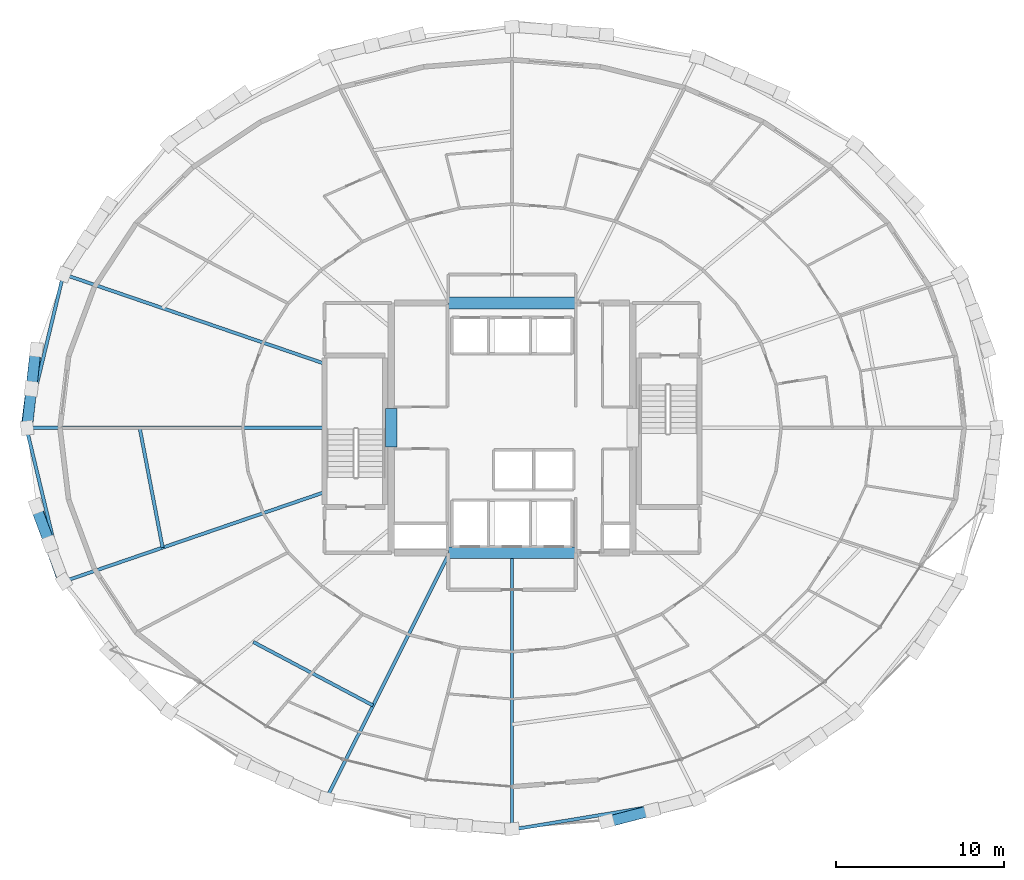
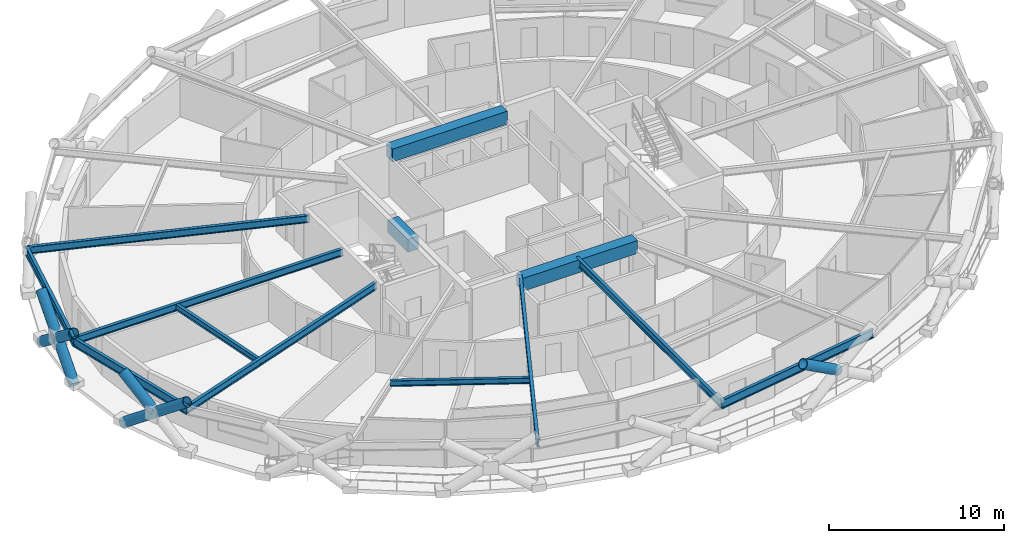
# One storey, part 5 of 19: 13 beams, 6 members.
"""IFC4 building model written with IfcOpenShell, lengths in metres."""

from ifc_helpers import new_model, si_unit, direction, frame, origin, origin_2d, place, context, subcontext, project, spatial, rectangle, hollow_circle, i_section, extrude, material, material_profile, profile_set, type_object, element, save


model = new_model("IFC4")

# Units and contexts
model_context = context("Model", 3, precision=1e-05, world=origin(), true_north=direction((0.0, 1.0)))
body_context = subcontext(model_context, "Body", "Model", "MODEL_VIEW")
ifc_project = project(units=[si_unit("LENGTHUNIT", "METRE"), si_unit("AREAUNIT", "SQUARE_METRE"), si_unit("VOLUMEUNIT", "CUBIC_METRE"), si_unit("PLANEANGLEUNIT", "RADIAN"), si_unit("MASSUNIT", "GRAM", prefix="KILO")], contexts=[model_context])

# Site, building, storey
site_placement = place(None, origin())
site = spatial("IfcSite", under=ifc_project, at=site_placement, CompositionType="ELEMENT")
building_placement = place(site_placement, origin())
building = spatial("IfcBuilding", under=site, at=building_placement, Name="Veldorina Hangang Commons", CompositionType="ELEMENT")
storey_placement = place(building_placement, frame((0.0, 0.0, 70.0)))
storey = spatial("IfcBuildingStorey", under=building, at=storey_placement, Name="L17", CompositionType="ELEMENT", Elevation=70.0)

# Beams
ifc_material_1 = material(Name="Concrete C70/85", Category="concrete")
ifc_material_profile_1 = material_profile(ifc_material_1, rectangle(XDim=0.699951171875, YDim=0.89990234375, at=origin_2d()), Name="RC-CB-700x900")
ifc_profile_set_1 = profile_set([ifc_material_profile_1], Name="Concrete C70/85")
beam_type_1 = type_object("IfcBeamType", Name="BM-CB900", PredefinedType="LINTEL", material=ifc_profile_set_1)
beam_1_placement = place(storey_placement, frame((24.800048828125, 22.85009765625, 2.889892578125), z_axis=(0.0, 1.0, 0.0), x_axis=(-1.0, 0.0, 0.0)))
element("IfcBeam", 1, at=beam_1_placement, inside=storey, type_object=beam_type_1, Name="L17 W core coupling lintel beam", PredefinedType="LINTEL", context=body_context, shape_type="SweptSolid", body=[
    extrude(rectangle(XDim=0.699951171875, YDim=0.89990234375, at=origin_2d()), origin(), (0.0, 0.0, 1.0), 2.2998046875),
])
for number, where, z_axis, x_axis, name in (
    (2, (28.199951171875, 16.550048828125, 2.889892578125), (1.0, 0.0, 0.0), (0.0, 1.0, 0.0), "L17 south core coupling beam"),
    (3, (28.199951171875, 31.449951171875, 2.889892578125), (1.0, 0.0, 0.0), (0.0, 1.0, 0.0), "L17 north core coupling beam"),
):
    element("IfcBeam", number, at=place(storey_placement, frame(where, z_axis=z_axis, x_axis=x_axis)), inside=storey, type_object=beam_type_1, Name=name, PredefinedType="LINTEL", context=body_context, shape_type="SweptSolid", body=[
        extrude(rectangle(XDim=0.699951171875, YDim=0.89990234375, at=origin_2d()), origin(), (0.0, 0.0, 1.0), 7.60009765625),
    ])
ifc_material_2 = material(Name="Steel SM420-TMC", Category="steel")
ifc_material_profile_2 = material_profile(ifc_material_2, i_section(OverallWidth=0.199951171875, OverallDepth=0.5, WebThickness=0.010009765625, FlangeThickness=0.01611328125, FilletRadius=0.01611328125, at=origin_2d()), Name="H-500x200x10x16")
ifc_profile_set_2 = profile_set([ifc_material_profile_2], Name="Steel SM420-TMC")
beam_type_2 = type_object("IfcBeamType", Name="BM-FG500", PredefinedType="BEAM", material=ifc_profile_set_2)
beam_2_placement = place(storey_placement, frame((20.820068359375, 27.831298828125, 3.090087890625), z_axis=(-0.945997938589, 0.324172639476, 0.0), x_axis=(-0.324172639476, -0.945997938589, 0.0)))
element("IfcBeam", 4, at=beam_2_placement, inside=storey, type_object=beam_type_2, Name="L17 radial floor girder 08", PredefinedType="BEAM", context=body_context, shape_type="SweptSolid", body=[
    extrude(i_section(OverallWidth=0.199951171875, OverallDepth=0.5, WebThickness=0.010009765625, FlangeThickness=0.01611328125, FilletRadius=0.01611328125, at=origin_2d()), origin(), (0.0, 0.0, 1.0), 16.460205078125),
])
beam_3_placement = place(storey_placement, frame((20.820068359375, 24.0, 3.090087890625), z_axis=(-1.0, 0.0, 0.0), x_axis=(0.0, -1.0, 0.0)))
element("IfcBeam", 5, at=beam_3_placement, inside=storey, type_object=beam_type_2, Name="L17 radial floor girder 09", PredefinedType="BEAM", context=body_context, shape_type="SweptSolid", body=[
    extrude(i_section(OverallWidth=0.199951171875, OverallDepth=0.5, WebThickness=0.010009765625, FlangeThickness=0.01611328125, FilletRadius=0.01611328125, at=origin_2d()), origin(), (0.0, 0.0, 1.0), 17.775146484375),
])
beam_4_placement = place(storey_placement, frame((20.820068359375, 20.168701171875, 3.090087890625), z_axis=(-0.945997938589, -0.324172639476, 0.0), x_axis=(0.324172639476, -0.945997938589, 0.0)))
element("IfcBeam", 6, at=beam_4_placement, inside=storey, type_object=beam_type_2, Name="L17 radial floor girder 10", PredefinedType="BEAM", context=body_context, shape_type="SweptSolid", body=[
    extrude(i_section(OverallWidth=0.199951171875, OverallDepth=0.5, WebThickness=0.010009765625, FlangeThickness=0.01611328125, FilletRadius=0.01611328125, at=origin_2d()), origin(), (0.0, 0.0, 1.0), 16.460205078125),
])
beam_5_placement = place(storey_placement, frame((28.27001953125, 16.550048828125, 3.090087890625), z_axis=(-0.447689354568, -0.894189153259, 0.0), x_axis=(0.894189153259, -0.447689354568, 0.0)))
element("IfcBeam", 7, at=beam_5_placement, inside=storey, type_object=beam_type_2, Name="L17 radial floor girder 12", PredefinedType="BEAM", context=body_context, shape_type="SweptSolid", body=[
    extrude(i_section(OverallWidth=0.199951171875, OverallDepth=0.5, WebThickness=0.010009765625, FlangeThickness=0.01611328125, FilletRadius=0.01611328125, at=origin_2d()), origin(), (0.0, 0.0, 1.0), 16.4189453125),
])
beam_6_placement = place(storey_placement, frame((32.0, 16.550048828125, 3.090087890625), z_axis=(0.0, -1.0, 0.0), x_axis=(1.0, 0.0, 0.0)))
element("IfcBeam", 8, at=beam_6_placement, inside=storey, type_object=beam_type_2, Name="L17 radial floor girder 13", PredefinedType="BEAM", context=body_context, shape_type="SweptSolid", body=[
    extrude(i_section(OverallWidth=0.199951171875, OverallDepth=0.5, WebThickness=0.010009765625, FlangeThickness=0.01611328125, FilletRadius=0.01611328125, at=origin_2d()), origin(), (0.0, 0.0, 1.0), 16.505126953125),
])
ifc_material_3 = material(Name="Steel SM355-TMC", Category="steel")
ifc_material_profile_3 = material_profile(ifc_material_3, i_section(OverallWidth=0.199951171875, OverallDepth=0.39990234375, WebThickness=0.008056640625, FlangeThickness=0.012939453125, FilletRadius=0.012939453125, at=origin_2d()), Name="H-400x200x8x13")
ifc_profile_set_3 = profile_set([ifc_material_profile_3], Name="Steel SM355-TMC")
beam_type_3 = type_object("IfcBeamType", Name="BM-JST400", PredefinedType="JOIST", material=ifc_profile_set_3)
beam_7_placement = place(storey_placement, frame((9.79931640625, 24.0, 3.139892578125), z_axis=(0.188016434996, -0.982165882207, 0.0), x_axis=(0.982165882207, 0.188016434996, 0.0)))
element("IfcBeam", 9, at=beam_7_placement, inside=storey, type_object=beam_type_3, Name="L17 secondary floor joist 09", PredefinedType="JOIST", context=body_context, shape_type="SweptSolid", body=[
    extrude(i_section(OverallWidth=0.199951171875, OverallDepth=0.39990234375, WebThickness=0.008056640625, FlangeThickness=0.012939453125, FilletRadius=0.012939453125, at=origin_2d()), origin(), (0.0, 0.0, 1.0), 7.26904296875),
])
beam_8_placement = place(storey_placement, frame((16.56982421875, 11.234375, 3.139892578125), z_axis=(0.88350054314, -0.468430133821, 0.0), x_axis=(0.468430133821, 0.88350054314, 0.0)))
element("IfcBeam", 10, at=beam_8_placement, inside=storey, type_object=beam_type_3, Name="L17 secondary floor joist 11", PredefinedType="JOIST", context=body_context, shape_type="SweptSolid", body=[
    extrude(i_section(OverallWidth=0.199951171875, OverallDepth=0.39990234375, WebThickness=0.008056640625, FlangeThickness=0.012939453125, FilletRadius=0.012939453125, at=origin_2d()), origin(), (0.0, 0.0, 1.0), 8.084716796875),
])
ifc_material_profile_4 = material_profile(ifc_material_2, i_section(OverallWidth=0.199951171875, OverallDepth=0.60009765625, WebThickness=0.010986328125, FlangeThickness=0.01708984375, FilletRadius=0.01806640625, at=origin_2d()), Name="H-600x200x11x17")
ifc_profile_set_4 = profile_set([ifc_material_profile_4], Name="Steel SM420-TMC")
beam_type_4 = type_object("IfcBeamType", Name="BM-RB600", PredefinedType="BEAM", material=ifc_profile_set_4)
for number, where, z_axis, x_axis, name in (
    (11, (5.248779296875, 33.167236328125, 3.0400390625), (-0.233746068928, -0.972297678317, 0.0), (0.972297678317, -0.233746068928, 0.0), "L17 perimeter hoop ring beam 14"),
    (12, (3.044921875, 24.0, 3.0400390625), (0.233746068928, -0.972297678317, 0.0), (0.972297678317, 0.233746068928, 0.0), "L17 perimeter hoop ring beam 16"),
):
    element("IfcBeam", number, at=place(storey_placement, frame(where, z_axis=z_axis, x_axis=x_axis)), inside=storey, type_object=beam_type_4, Name=name, PredefinedType="BEAM", context=body_context, shape_type="SweptSolid", body=[
        extrude(i_section(OverallWidth=0.199951171875, OverallDepth=0.60009765625, WebThickness=0.010986328125, FlangeThickness=0.01708984375, FilletRadius=0.01806640625, at=origin_2d()), origin(), (0.0, 0.0, 1.0), 9.428466796875),
    ])
beam_9_placement = place(storey_placement, frame((32.0, 0.044921875, 3.0400390625), z_axis=(0.986727963454, 0.162382037611, 0.0), x_axis=(-0.162382037611, 0.986727963454, 0.0)))
element("IfcBeam", 13, at=beam_9_placement, inside=storey, type_object=beam_type_4, Name="L17 perimeter hoop ring beam 24", PredefinedType="BEAM", context=body_context, shape_type="SweptSolid", body=[
    extrude(i_section(OverallWidth=0.199951171875, OverallDepth=0.60009765625, WebThickness=0.010986328125, FlangeThickness=0.01708984375, FilletRadius=0.01806640625, at=origin_2d()), origin(), (0.0, 0.0, 1.0), 11.2294921875),
])

# Members
ifc_material_4 = material(Name="Steel SM460-TMC", Category="steel")
ifc_material_profile_5 = material_profile(ifc_material_4, hollow_circle(Radius=0.324951171875, WallThickness=0.031982421875, at=origin_2d()), Name="CHS-650x32")
ifc_profile_set_5 = profile_set([ifc_material_profile_5], Name="Steel SM460-TMC")
member_type = type_object("IfcMemberType", Name="DG-CHS650", PredefinedType="BRACE", material=ifc_profile_set_5)
member_1_placement = place(storey_placement, frame((3.639892578125, 28.665771484375, 0.0), z_axis=(-0.101671600368, -0.787614898512, 0.60772169397), x_axis=(0.991770853704, -0.128025676107, 0.0)))
element("IfcMember", 14, at=member_1_placement, inside=storey, type_object=member_type, Name="L17 continuous perimeter diagrid brace 15", PredefinedType="BRACE", context=body_context, shape_type="SweptSolid", body=[
    extrude(hollow_circle(Radius=0.324951171875, WallThickness=0.031982421875, at=origin_2d()), origin(), (0.0, 0.0, 1.0), 5.923828125),
])
member_2_placement = place(storey_placement, frame((3.084228515625, 24.0, 0.0), z_axis=(0.0861554141, 0.789345340864, 0.607874310591), x_axis=(-0.994096063463, 0.108503532698, 0.0)))
element("IfcMember", 15, at=member_2_placement, inside=storey, type_object=member_type, Name="L17 split perimeter diagrid lower brace 16", PredefinedType="BRACE", context=body_context, shape_type="SweptSolid", body=[
    extrude(hollow_circle(Radius=0.324951171875, WallThickness=0.031982421875, at=origin_2d()), origin(), (0.0, 0.0, 1.0), 2.95849609375),
])
member_3_placement = place(storey_placement, frame((3.339111328125, 26.335205078125, 1.79833984375), z_axis=(0.085994188853, 0.789350873351, 0.607889955685), x_axis=(-0.994118026553, 0.108302120393, 0.0)))
element("IfcMember", 16, at=member_3_placement, inside=storey, type_object=member_type, Name="L17 split perimeter diagrid upper brace 16", PredefinedType="BRACE", context=body_context, shape_type="SweptSolid", body=[
    extrude(hollow_circle(Radius=0.324951171875, WallThickness=0.031982421875, at=origin_2d()), origin(), (0.0, 0.0, 1.0), 2.9638671875),
])
member_4_placement = place(storey_placement, frame((3.639892578125, 19.334228515625, 0.0), z_axis=(0.267736396922, -0.752623615239, 0.601560400581), x_axis=(0.942160587155, 0.335161793783, 0.0)))
element("IfcMember", 17, at=member_4_placement, inside=storey, type_object=member_type, Name="L17 continuous perimeter diagrid brace 17", PredefinedType="BRACE", context=body_context, shape_type="SweptSolid", body=[
    extrude(hollow_circle(Radius=0.324951171875, WallThickness=0.031982421875, at=origin_2d()), origin(), (0.0, 0.0, 1.0), 5.984619140625),
])
member_5_placement = place(storey_placement, frame((4.440185546875, 17.084228515625, 1.79833984375), z_axis=(-0.282310094969, 0.747641189187, 0.601110358013), x_axis=(-0.935526742432, -0.353255876377, 0.0)))
element("IfcMember", 18, at=member_5_placement, inside=storey, type_object=member_type, Name="L17 split perimeter diagrid upper brace 18", PredefinedType="BRACE", context=body_context, shape_type="SweptSolid", body=[
    extrude(hollow_circle(Radius=0.324951171875, WallThickness=0.031982421875, at=origin_2d()), origin(), (0.0, 0.0, 1.0), 2.997314453125),
])
member_6_placement = place(storey_placement, frame((40.360107421875, 1.2021484375, 1.798583984375), z_axis=(-0.813916851648, -0.211490782967, 0.541120141302), x_axis=(0.251491724494, -0.967859448738, 0.0)))
element("IfcMember", 19, at=member_6_placement, inside=storey, type_object=member_type, Name="L17 split perimeter diagrid upper brace 26", PredefinedType="BRACE", context=body_context, shape_type="SweptSolid", body=[
    extrude(hollow_circle(Radius=0.324951171875, WallThickness=0.031982421875, at=origin_2d()), origin(), (0.0, 0.0, 1.0), 3.329345703125),
])

save(model, "model.ifc")
